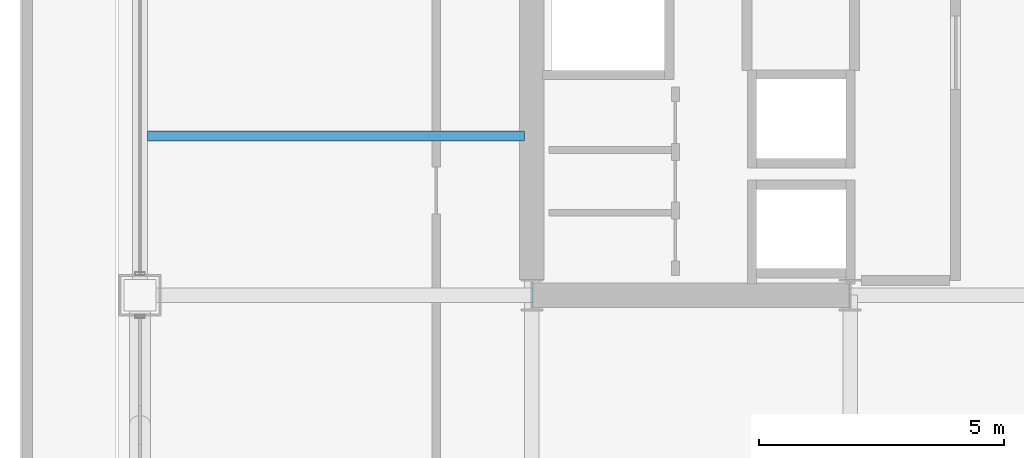
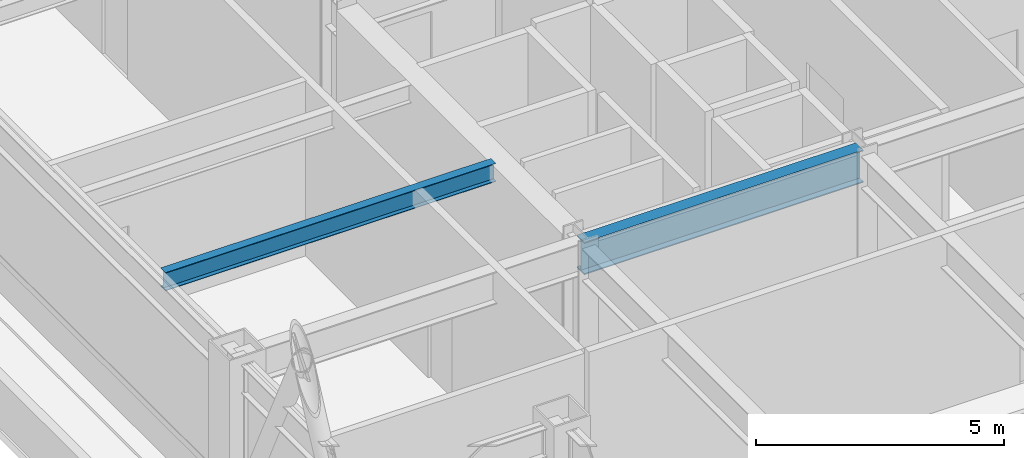
# One storey, part 5 of 32: 2 beams.
"""IFC4 building model written with IfcOpenShell, lengths in metres."""

from ifc_helpers import new_model, si_unit, direction, frame, origin, origin_2d, place, context, subcontext, project, spatial, i_section, extrude, material, material_profile, profile_set, type_object, element, save


model = new_model("IFC4")

# Units and contexts
model_context = context("Model", 3, precision=1e-05, world=origin(), true_north=direction((0.0, 1.0)))
body_context = subcontext(model_context, "Body", "Model", "MODEL_VIEW")
ifc_project = project(units=[si_unit("LENGTHUNIT", "METRE"), si_unit("AREAUNIT", "SQUARE_METRE"), si_unit("VOLUMEUNIT", "CUBIC_METRE"), si_unit("PLANEANGLEUNIT", "RADIAN"), si_unit("MASSUNIT", "GRAM", prefix="KILO")], contexts=[model_context])

# Site, building, storey
site_placement = place(None, origin())
site = spatial("IfcSite", under=ifc_project, at=site_placement, CompositionType="ELEMENT")
building_placement = place(site_placement, origin())
building = spatial("IfcBuilding", under=site, at=building_placement, Name="Brelmoor Portico Tower", CompositionType="ELEMENT")
storey_placement = place(building_placement, frame((0.0, 0.0, 87.300048828125)))
storey = spatial("IfcBuildingStorey", under=building, at=storey_placement, Name="L22", CompositionType="ELEMENT", Elevation=87.300048828125)

# Beams
ifc_material = material(Name="Steel Q355B", Category="steel")
ifc_material_profile_1 = material_profile(ifc_material, i_section(OverallWidth=0.199951171875, OverallDepth=0.449951171875, WebThickness=0.009033203125, FlangeThickness=0.013916015625, at=origin_2d()), Name="HN 450x200x9x14")
ifc_profile_set_1 = profile_set([ifc_material_profile_1], Name="Steel Q355B")
beam_type_1 = type_object("IfcBeamType", Name="BM-JS-450", PredefinedType="JOIST", material=ifc_profile_set_1)
beam_1_placement = place(storey_placement, frame((-22.39990234375, -6.5, 4.074951171875), z_axis=(1.0, 0.0, 0.0), x_axis=(0.0, 1.0, 0.0)))
element("IfcBeam", 1, at=beam_1_placement, inside=storey, type_object=beam_type_1, Name="L22 Secondary Wing Joist JS-W05", PredefinedType="JOIST", context=body_context, shape_type="SweptSolid", body=[
    extrude(i_section(OverallWidth=0.199951171875, OverallDepth=0.449951171875, WebThickness=0.009033203125, FlangeThickness=0.013916015625, at=origin_2d()), origin(), (0.0, 0.0, 1.0), 7.699951171875),
])
ifc_material_profile_2 = material_profile(ifc_material, i_section(OverallWidth=0.300048828125, OverallDepth=0.800048828125, WebThickness=0.013916015625, FlangeThickness=0.02587890625, at=origin_2d()), Name="HN 800x300x14x26")
ifc_profile_set_2 = profile_set([ifc_material_profile_2], Name="Steel Q355B")
beam_type_2 = type_object("IfcBeamType", Name="BM-PG-800", PredefinedType="BEAM", material=ifc_profile_set_2)
beam_2_placement = place(storey_placement, frame((-14.550048828125, -9.75, 3.89990234375), z_axis=(1.0, 0.0, 0.0), x_axis=(0.0, 1.0, 0.0)))
element("IfcBeam", 2, at=beam_2_placement, inside=storey, type_object=beam_type_2, Name="L22 Primary Floor Girder PG-14", PredefinedType="BEAM", context=body_context, shape_type="SweptSolid", body=[
    extrude(i_section(OverallWidth=0.300048828125, OverallDepth=0.800048828125, WebThickness=0.013916015625, FlangeThickness=0.02587890625, at=origin_2d()), origin(), (0.0, 0.0, 1.0), 6.5),
])

save(model, "model.ifc")
